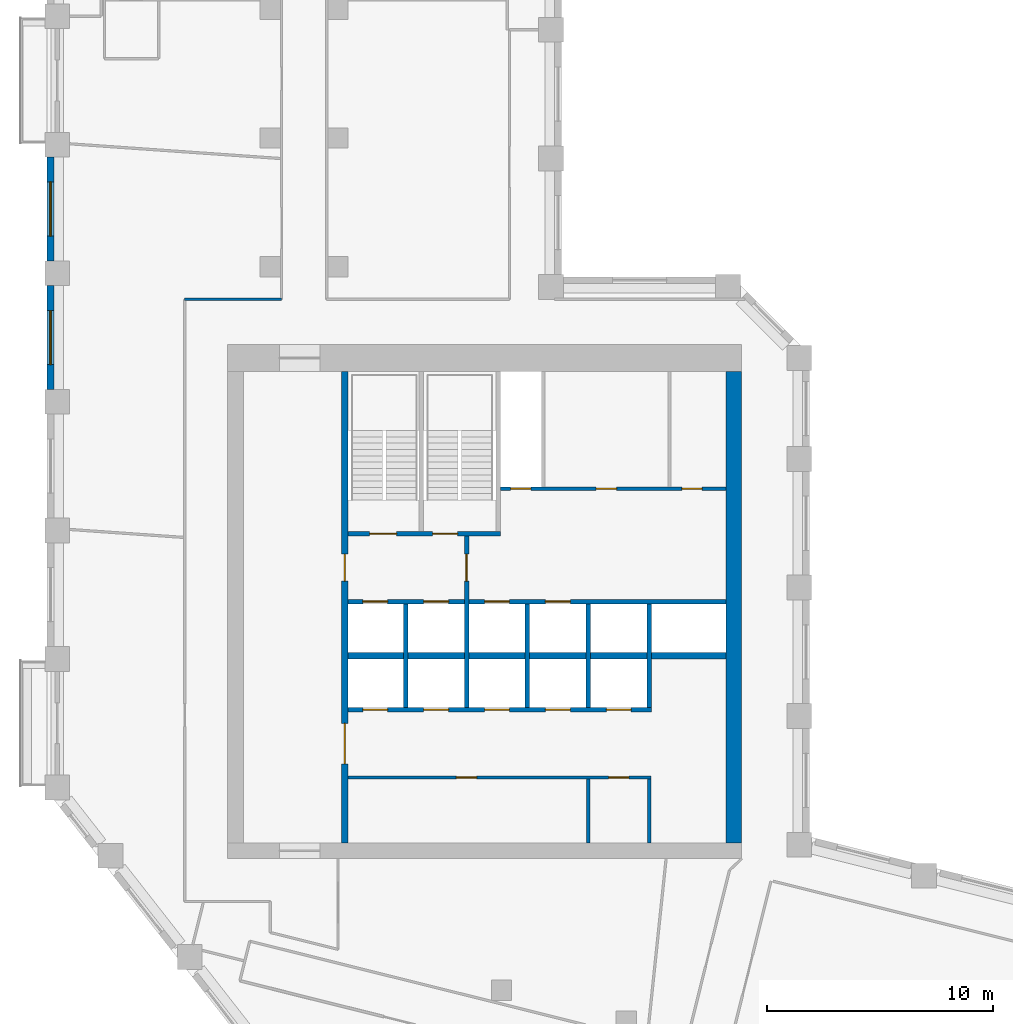
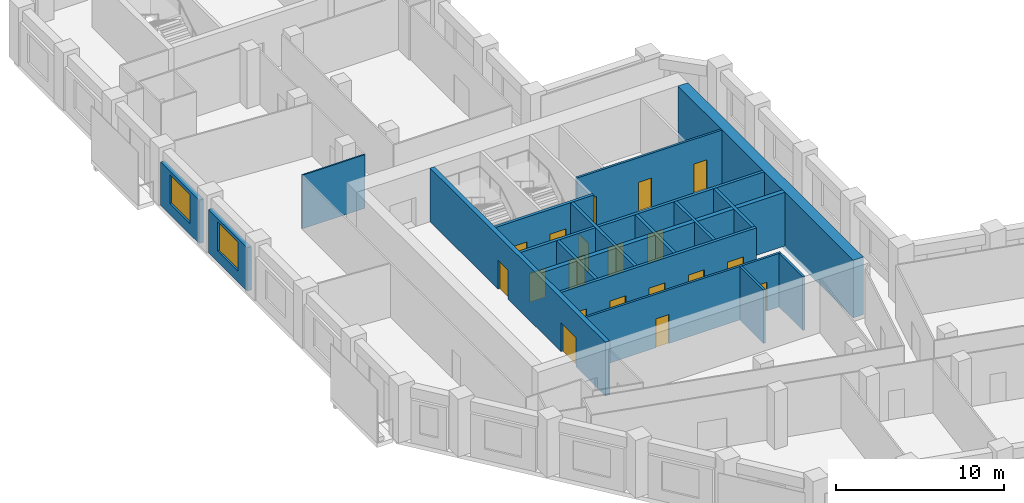
# One storey, part 5 of 10: 19 doors, 18 walls, 2 windows, 21 openings.
"""IFC4 building model written with IfcOpenShell, lengths in metres."""

from ifc_helpers import new_model, si_unit, direction, frame, frame_2d, origin, place, context, subcontext, project, spatial, rectangle, extrude, material, layer, layer_set, type_object, element, fill, save


model = new_model("IFC4")

# Units and contexts
model_context = context("Model", 3, precision=1e-05, world=origin(), true_north=direction((0.0, 1.0)))
body_context = subcontext(model_context, "Body", "Model", "MODEL_VIEW")
ifc_project = project(units=[si_unit("LENGTHUNIT", "METRE"), si_unit("AREAUNIT", "SQUARE_METRE"), si_unit("VOLUMEUNIT", "CUBIC_METRE"), si_unit("PLANEANGLEUNIT", "RADIAN"), si_unit("MASSUNIT", "GRAM", prefix="KILO")], contexts=[model_context])

# Site, building, storey
site_placement = place(None, origin())
site = spatial("IfcSite", under=ifc_project, at=site_placement, CompositionType="ELEMENT")
building_placement = place(site_placement, origin())
building = spatial("IfcBuilding", under=site, at=building_placement, Name="Meshkara Civic Tower", CompositionType="ELEMENT")
storey_placement = place(building_placement, frame((0.0, 0.0, 229.800048828125)))
storey = spatial("IfcBuildingStorey", under=building, at=storey_placement, Name="L52", CompositionType="ELEMENT", Elevation=229.800048828125)

# Wall, openings, doors
ifc_material_1 = material(Name="Blockwork", Category="masonry")
ifc_layer_1 = layer(ifc_material_1, 0.14990234375)
ifc_layer_set_1 = layer_set([ifc_layer_1], Name="Core partition 150")
wall_type_1 = type_object("IfcWallType", Name="Core partition 150", PredefinedType="PARTITIONING", material=ifc_layer_set_1)
wall_1_placement = place(storey_placement, frame((13.35009765625, 17.699951171875, 0.0), z_axis=(0.0, 0.0, 1.0), x_axis=(1.0, 0.0, 0.0)))
wall_1 = element("IfcWall", 1, at=wall_1_placement, inside=storey, type_object=wall_type_1, Name="L52-C005", PredefinedType="PARTITIONING", context=body_context, shape_type="SweptSolid", body=[
    extrude(rectangle(XDim=13.4248046875, YDim=0.14990234375, at=frame_2d((6.71240234375, 0.0))), origin(), (0.0, 0.0, 1.0), 3.89990234375),
])
opening_1_placement = place(wall_1_placement, frame((4.800048828125, 0.0, 0.0)))
opening_1 = element("IfcOpeningElement", 2, at=opening_1_placement, cuts=wall_1, Name="Opening L52-K010", PredefinedType="OPENING", context=body_context, shape_type="SweptSolid", body=[
    extrude(rectangle(XDim=0.89990234375, YDim=2.10009765625, at=frame_2d((0.449951171875, 1.050048828125))), frame((0.0, 0.0849609375, 0.0), z_axis=(0.0, -1.0, 0.0), x_axis=(1.0, 0.0, 0.0)), (0.0, 0.0, 1.0), 0.169921875),
])
opening_2_placement = place(wall_1_placement, frame((11.550048828125, 0.0, 0.0)))
opening_2 = element("IfcOpeningElement", 3, at=opening_2_placement, cuts=wall_1, Name="Opening L52-K011", PredefinedType="OPENING", context=body_context, shape_type="SweptSolid", body=[
    extrude(rectangle(XDim=0.89990234375, YDim=2.10009765625, at=frame_2d((0.449951171875, 1.050048828125))), frame((0.0, 0.0849609375, 0.0), z_axis=(0.0, -1.0, 0.0), x_axis=(1.0, 0.0, 0.0)), (0.0, 0.0, 1.0), 0.169921875),
])
ifc_material_2 = material(Name="Timber door leaf in steel frame", Category="steel")
door_type_1 = type_object("IfcDoorType", Name="Core room door 900", OperationType="SINGLE_SWING_LEFT", PredefinedType="DOOR", material=ifc_material_2)
door_1_placement = place(opening_1_placement, origin())
door_1 = element("IfcDoor", 4, at=door_1_placement, inside=storey, type_object=door_type_1, Name="L52-K010", OperationType="SINGLE_SWING_LEFT", OverallHeight=2.10009765625, OverallWidth=0.89990234375, PredefinedType="DOOR", context=body_context, shape_type="SweptSolid", body=[
    extrude(rectangle(XDim=0.89990234375, YDim=2.10009765625, at=frame_2d((0.449951171875, 1.050048828125))), frame((0.0, 0.02490234375, 0.0), z_axis=(0.0, -1.0, 0.0), x_axis=(1.0, 0.0, 0.0)), (0.0, 0.0, 1.0), 0.050048828125),
])
fill(opening_1, door_1)
door_2_placement = place(opening_2_placement, origin())
door_2 = element("IfcDoor", 5, at=door_2_placement, inside=storey, type_object=door_type_1, Name="L52-K011", OperationType="SINGLE_SWING_LEFT", OverallHeight=2.10009765625, OverallWidth=0.89990234375, PredefinedType="DOOR", context=body_context, shape_type="SweptSolid", body=[
    extrude(rectangle(XDim=0.89990234375, YDim=2.10009765625, at=frame_2d((0.449951171875, 1.050048828125))), frame((0.0, 0.02490234375, 0.0), z_axis=(0.0, -1.0, 0.0), x_axis=(1.0, 0.0, 0.0)), (0.0, 0.0, 1.0), 0.050048828125),
])
fill(opening_2, door_2)

wall_2_placement = place(storey_placement, frame((20.10009765625, 30.5, 0.0), z_axis=(0.0, 0.0, 1.0), x_axis=(1.0, 0.0, 0.0)))
wall_2 = element("IfcWall", 6, at=wall_2_placement, inside=storey, type_object=wall_type_1, Name="L52-C010", PredefinedType="PARTITIONING", context=body_context, shape_type="SweptSolid", body=[
    extrude(rectangle(XDim=10.0, YDim=0.14990234375, at=frame_2d((5.0, 0.0))), origin(), (0.0, 0.0, 1.0), 3.89990234375),
])
opening_3_placement = place(wall_2_placement, frame((0.449951171875, 0.0, 0.0)))
opening_3 = element("IfcOpeningElement", 7, at=opening_3_placement, cuts=wall_2, Name="Opening L52-K012", PredefinedType="OPENING", context=body_context, shape_type="SweptSolid", body=[
    extrude(rectangle(XDim=0.89990234375, YDim=2.10009765625, at=frame_2d((0.449951171875, 1.050048828125))), frame((0.0, 0.0849609375, 0.0), z_axis=(0.0, -1.0, 0.0), x_axis=(1.0, 0.0, 0.0)), (0.0, 0.0, 1.0), 0.169921875),
])
opening_4_placement = place(wall_2_placement, frame((4.25, 0.0, 0.0)))
opening_4 = element("IfcOpeningElement", 8, at=opening_4_placement, cuts=wall_2, Name="Opening L52-K013", PredefinedType="OPENING", context=body_context, shape_type="SweptSolid", body=[
    extrude(rectangle(XDim=0.89990234375, YDim=2.10009765625, at=frame_2d((0.449951171875, 1.050048828125))), frame((0.0, 0.0849609375, 0.0), z_axis=(0.0, -1.0, 0.0), x_axis=(1.0, 0.0, 0.0)), (0.0, 0.0, 1.0), 0.169921875),
])
opening_5_placement = place(wall_2_placement, frame((8.050048828125, 0.0, 0.0)))
opening_5 = element("IfcOpeningElement", 9, at=opening_5_placement, cuts=wall_2, Name="Opening L52-K014", PredefinedType="OPENING", context=body_context, shape_type="SweptSolid", body=[
    extrude(rectangle(XDim=0.89990234375, YDim=2.10009765625, at=frame_2d((0.449951171875, 1.050048828125))), frame((0.0, 0.0849609375, 0.0), z_axis=(0.0, -1.0, 0.0), x_axis=(1.0, 0.0, 0.0)), (0.0, 0.0, 1.0), 0.169921875),
])
door_3_placement = place(opening_4_placement, origin())
door_3 = element("IfcDoor", 10, at=door_3_placement, inside=storey, type_object=door_type_1, Name="L52-K013", OperationType="SINGLE_SWING_RIGHT", OverallHeight=2.10009765625, OverallWidth=0.89990234375, PredefinedType="DOOR", context=body_context, shape_type="SweptSolid", body=[
    extrude(rectangle(XDim=0.89990234375, YDim=2.10009765625, at=frame_2d((0.449951171875, 1.050048828125))), frame((0.0, 0.02490234375, 0.0), z_axis=(0.0, -1.0, 0.0), x_axis=(1.0, 0.0, 0.0)), (0.0, 0.0, 1.0), 0.050048828125),
])
fill(opening_4, door_3)
door_4_placement = place(opening_5_placement, origin())
door_4 = element("IfcDoor", 11, at=door_4_placement, inside=storey, type_object=door_type_1, Name="L52-K014", OperationType="SINGLE_SWING_RIGHT", OverallHeight=2.10009765625, OverallWidth=0.89990234375, PredefinedType="DOOR", context=body_context, shape_type="SweptSolid", body=[
    extrude(rectangle(XDim=0.89990234375, YDim=2.10009765625, at=frame_2d((0.449951171875, 1.050048828125))), frame((0.0, 0.02490234375, 0.0), z_axis=(0.0, -1.0, 0.0), x_axis=(1.0, 0.0, 0.0)), (0.0, 0.0, 1.0), 0.050048828125),
])
fill(opening_5, door_4)
ifc_material_3 = material(Name="Fire-rated door leaf in steel frame", Category="steel")
door_type_2 = type_object("IfcDoorType", Name="Riser door 900", OperationType="SINGLE_SWING_LEFT", PredefinedType="DOOR", material=ifc_material_3)
door_5_placement = place(opening_3_placement, origin())
door_5 = element("IfcDoor", 12, at=door_5_placement, inside=storey, type_object=door_type_2, Name="L52-K012", OperationType="SINGLE_SWING_RIGHT", OverallHeight=2.10009765625, OverallWidth=0.89990234375, PredefinedType="DOOR", context=body_context, shape_type="SweptSolid", body=[
    extrude(rectangle(XDim=0.89990234375, YDim=2.10009765625, at=frame_2d((0.449951171875, 1.050048828125))), frame((0.0, 0.02490234375, 0.0), z_axis=(0.0, -1.0, 0.0), x_axis=(1.0, 0.0, 0.0)), (0.0, 0.0, 1.0), 0.050048828125),
])
fill(opening_3, door_5)

# Walls
for number, where, z_axis, x_axis, name in (
    (13, (24.0, 14.800048828125, 0.0), (0.0, 0.0, 1.0), (0.0, 1.0, 0.0), "L52-C018"),
    (14, (26.699951171875, 14.800048828125, 0.0), (0.0, 0.0, 1.0), (0.0, 1.0, 0.0), "L52-C020"),
):
    element("IfcWall", number, at=place(storey_placement, frame(where, z_axis=z_axis, x_axis=x_axis)), inside=storey, type_object=wall_type_1, Name=name, PredefinedType="PARTITIONING", context=body_context, shape_type="SweptSolid", body=[
        extrude(rectangle(XDim=2.824951171875, YDim=0.14990234375, at=frame_2d((1.41259765625, 0.0))), origin(), (0.0, 0.0, 1.0), 3.89990234375),
    ])
ifc_material_4 = material(Name="Concrete C60", Category="concrete")
ifc_layer_2 = layer(ifc_material_4, 0.699951171875)
ifc_layer_set_2 = layer_set([ifc_layer_2], Name="Core ring wall 700 C60")
wall_type_2 = type_object("IfcWallType", Name="Core ring wall 700 C60", PredefinedType="SHEAR", material=ifc_layer_set_2)
wall_3_placement = place(storey_placement, frame((30.449951171875, 14.800048828125, -0.300048828125), z_axis=(0.0, 0.0, 1.0), x_axis=(0.0, 1.0, 0.0)))
element("IfcWall", 15, at=wall_3_placement, inside=storey, type_object=wall_type_2, Name="L52-C004", PredefinedType="SHEAR", context=body_context, shape_type="SweptSolid", body=[
    extrude(rectangle(XDim=20.89990234375, YDim=0.699951171875, at=frame_2d((10.449951171875, 0.0))), origin(), (0.0, 0.0, 1.0), 4.199951171875),
])
ifc_material_5 = material(Name="Concrete C60", Category="concrete")
ifc_layer_3 = layer(ifc_material_5, 0.300048828125)
ifc_layer_set_3 = layer_set([ifc_layer_3], Name="Core shear wall 300 C60")
wall_type_3 = type_object("IfcWallType", Name="Core shear wall 300 C60", PredefinedType="SHEAR", material=ifc_layer_set_3)
wall_4_placement = place(storey_placement, frame((13.35009765625, 23.10009765625, 0.0), z_axis=(0.0, 0.0, 1.0), x_axis=(1.0, 0.0, 0.0)))
element("IfcWall", 16, at=wall_4_placement, inside=storey, type_object=wall_type_3, Name="L52-C007", PredefinedType="SHEAR", context=body_context, shape_type="SweptSolid", body=[
    extrude(rectangle(XDim=16.75, YDim=0.300048828125, at=frame_2d((8.375, 0.0))), origin(), (0.0, 0.0, 1.0), 3.89990234375),
])

# Wall, openings, doors
wall_5_placement = place(storey_placement, frame((13.199951171875, 14.800048828125, 0.0), z_axis=(0.0, 0.0, 1.0), x_axis=(0.0, 1.0, 0.0)))
wall_5 = element("IfcWall", 17, at=wall_5_placement, inside=storey, type_object=wall_type_3, Name="L52-C011", PredefinedType="SHEAR", context=body_context, shape_type="SweptSolid", body=[
    extrude(rectangle(XDim=20.89990234375, YDim=0.300048828125, at=frame_2d((10.449951171875, 0.0))), origin(), (0.0, 0.0, 1.0), 3.89990234375),
])
opening_6_placement = place(wall_5_placement, frame((3.5, 0.0, 0.0)))
opening_6 = element("IfcOpeningElement", 18, at=opening_6_placement, cuts=wall_5, Name="Opening L52-K017", PredefinedType="OPENING", context=body_context, shape_type="SweptSolid", body=[
    extrude(rectangle(XDim=1.800048828125, YDim=2.10009765625, at=frame_2d((0.89990234375, 1.050048828125))), frame((0.0, 0.159912109375, 0.0), z_axis=(0.0, -1.0, 0.0), x_axis=(1.0, 0.0, 0.0)), (0.0, 0.0, 1.0), 0.320068359375),
])
opening_7_placement = place(wall_5_placement, frame((11.60009765625, 0.0, 0.0)))
opening_7 = element("IfcOpeningElement", 19, at=opening_7_placement, cuts=wall_5, Name="Opening L52-K018", PredefinedType="OPENING", context=body_context, shape_type="SweptSolid", body=[
    extrude(rectangle(XDim=1.199951171875, YDim=2.10009765625, at=frame_2d((0.60009765625, 1.050048828125))), frame((0.0, 0.159912109375, 0.0), z_axis=(0.0, -1.0, 0.0), x_axis=(1.0, 0.0, 0.0)), (0.0, 0.0, 1.0), 0.320068359375),
])
ifc_material_6 = material(Name="Fire-rated door leaf in steel frame", Category="steel")
door_type_3 = type_object("IfcDoorType", Name="Core double door 1800 EI 60", OperationType="DOUBLE_DOOR_SINGLE_SWING", PredefinedType="DOOR", material=ifc_material_6)
door_6_placement = place(opening_6_placement, origin())
door_6 = element("IfcDoor", 20, at=door_6_placement, inside=storey, type_object=door_type_3, Name="L52-K017", OperationType="DOUBLE_DOOR_SINGLE_SWING", OverallHeight=2.10009765625, OverallWidth=1.800048828125, PredefinedType="DOOR", context=body_context, shape_type="SweptSolid", body=[
    extrude(rectangle(XDim=1.800048828125, YDim=2.10009765625, at=frame_2d((0.89990234375, 1.050048828125))), frame((0.0, 0.02490234375, 0.0), z_axis=(0.0, -1.0, 0.0), x_axis=(1.0, 0.0, 0.0)), (0.0, 0.0, 1.0), 0.050048828125),
])
fill(opening_6, door_6)
ifc_material_7 = material(Name="Fire-rated door leaf in steel frame", Category="steel")
door_type_4 = type_object("IfcDoorType", Name="Fire-fighting lobby door 1200 EI 120", OperationType="SINGLE_SWING_LEFT", PredefinedType="DOOR", material=ifc_material_7)
door_7_placement = place(opening_7_placement, origin())
door_7 = element("IfcDoor", 21, at=door_7_placement, inside=storey, type_object=door_type_4, Name="L52-K018", OperationType="SINGLE_SWING_LEFT", OverallHeight=2.10009765625, OverallWidth=1.199951171875, PredefinedType="DOOR", context=body_context, shape_type="SweptSolid", body=[
    extrude(rectangle(XDim=1.199951171875, YDim=2.10009765625, at=frame_2d((0.60009765625, 1.050048828125))), frame((0.0, 0.02490234375, 0.0), z_axis=(0.0, -1.0, 0.0), x_axis=(1.0, 0.0, 0.0)), (0.0, 0.0, 1.0), 0.050048828125),
])
fill(opening_7, door_7)

# Wall
ifc_material_8 = material(Name="Corridor wall 100")
ifc_layer_4 = layer(ifc_material_8, 0.10009765625)
ifc_layer_set_4 = layer_set([ifc_layer_4], Name="Corridor wall 100")
wall_type_4 = type_object("IfcWallType", Name="Corridor wall 100", PredefinedType="PARTITIONING", material=ifc_layer_set_4)
wall_6_placement = place(storey_placement, frame((10.39990234375, 38.89990234375, 0.0), z_axis=(0.0, 0.0, 1.0), x_axis=(-1.0, 0.0, 0.0)))
element("IfcWall", 22, at=wall_6_placement, inside=storey, type_object=wall_type_4, Name="L52-W011", PredefinedType="PARTITIONING", context=body_context, shape_type="SweptSolid", body=[
    extrude(rectangle(XDim=4.2998046875, YDim=0.10009765625, at=frame_2d((2.14990234375, 0.0))), origin(), (0.0, 0.0, 1.0), 3.89990234375),
])

# Wall, opening, window
ifc_material_9 = material(Name="Insulated infill panel with bronze anodised aluminium cladding", Category="aluminium")
ifc_layer_5 = layer(ifc_material_9, 0.300048828125)
ifc_layer_set_5 = layer_set([ifc_layer_5], Name="EXTERNAL INFILL WALL 300")
wall_type_5 = type_object("IfcWallType", Name="EXTERNAL INFILL WALL 300", PredefinedType="SOLIDWALL", material=ifc_layer_set_5)
wall_7_placement = place(storey_placement, frame((0.14990234375, 45.205078125, 0.0), z_axis=(0.0, 0.0, 1.0), x_axis=(0.0, -1.0, 0.0)))
wall_7 = element("IfcWall", 23, at=wall_7_placement, inside=storey, type_object=wall_type_5, Name="External wall", PredefinedType="SOLIDWALL", context=body_context, shape_type="SweptSolid", body=[
    extrude(rectangle(XDim=4.60009765625, YDim=0.300048828125, at=frame_2d((2.300048828125, 0.0))), origin(), (0.0, 0.0, 1.0), 3.14990234375),
])
opening_8_placement = place(wall_7_placement, frame((1.10009765625, 0.0, 0.800048828125)))
opening_8 = element("IfcOpeningElement", 24, at=opening_8_placement, cuts=wall_7, Name="Opening W7", PredefinedType="OPENING", context=body_context, shape_type="SweptSolid", body=[
    extrude(rectangle(XDim=2.39990234375, YDim=2.10009765625, at=frame_2d((1.199951171875, 1.050048828125))), frame((0.0, 0.159912109375, 0.0), z_axis=(0.0, -1.0, 0.0), x_axis=(1.0, 0.0, 0.0)), (0.0, 0.0, 1.0), 0.320068359375),
])
ifc_material_10 = material(Name="Tinted double glazing", Category="glass")
window_type = type_object("IfcWindowType", Name="WINDOW 2400x2100", PartitioningType="DOUBLE_PANEL_VERTICAL", PredefinedType="WINDOW", material=ifc_material_10)
window_1_placement = place(opening_8_placement, origin())
window_1 = element("IfcWindow", 25, at=window_1_placement, inside=storey, type_object=window_type, Name="Window", OverallHeight=2.10009765625, OverallWidth=2.39990234375, PartitioningType="DOUBLE_PANEL_VERTICAL", PredefinedType="WINDOW", context=body_context, shape_type="SweptSolid", body=[
    extrude(rectangle(XDim=2.39990234375, YDim=2.10009765625, at=frame_2d((1.199951171875, 1.050048828125))), frame((0.0, 0.030029296875, 0.0), z_axis=(0.0, -1.0, 0.0), x_axis=(1.0, 0.0, 0.0)), (0.0, 0.0, 1.0), 0.06005859375),
])
fill(opening_8, window_1)

wall_8_placement = place(storey_placement, frame((0.14990234375, 39.5048828125, 0.0), z_axis=(0.0, 0.0, 1.0), x_axis=(0.0, -1.0, 0.0)))
wall_8 = element("IfcWall", 26, at=wall_8_placement, inside=storey, type_object=wall_type_5, Name="External wall", PredefinedType="SOLIDWALL", context=body_context, shape_type="SweptSolid", body=[
    extrude(rectangle(XDim=4.599853515625, YDim=0.300048828125, at=frame_2d((2.2998046875, 0.0))), origin(), (0.0, 0.0, 1.0), 3.14990234375),
])
opening_9_placement = place(wall_8_placement, frame((1.10009765625, 0.0, 0.800048828125)))
opening_9 = element("IfcOpeningElement", 27, at=opening_9_placement, cuts=wall_8, Name="Opening W7", PredefinedType="OPENING", context=body_context, shape_type="SweptSolid", body=[
    extrude(rectangle(XDim=2.39990234375, YDim=2.10009765625, at=frame_2d((1.199951171875, 1.050048828125))), frame((0.0, 0.159912109375, 0.0), z_axis=(0.0, -1.0, 0.0), x_axis=(1.0, 0.0, 0.0)), (0.0, 0.0, 1.0), 0.320068359375),
])
window_2_placement = place(opening_9_placement, origin())
window_2 = element("IfcWindow", 28, at=window_2_placement, inside=storey, type_object=window_type, Name="Window", OverallHeight=2.10009765625, OverallWidth=2.39990234375, PartitioningType="DOUBLE_PANEL_VERTICAL", PredefinedType="WINDOW", context=body_context, shape_type="SweptSolid", body=[
    extrude(rectangle(XDim=2.39990234375, YDim=2.10009765625, at=frame_2d((1.199951171875, 1.050048828125))), frame((0.0, 0.030029296875, 0.0), z_axis=(0.0, -1.0, 0.0), x_axis=(1.0, 0.0, 0.0)), (0.0, 0.0, 1.0), 0.06005859375),
])
fill(opening_9, window_2)

# Wall, openings, doors
ifc_material_11 = material(Name="Concrete C40/50", Category="concrete")
ifc_layer_6 = layer(ifc_material_11, 0.199951171875)
ifc_layer_set_6 = layer_set([ifc_layer_6], Name="Shaft wall 200 C40/50")
wall_type_6 = type_object("IfcWallType", Name="Shaft wall 200 C40/50", PredefinedType="SOLIDWALL", material=ifc_layer_set_6)
wall_9_placement = place(storey_placement, frame((13.35009765625, 20.699951171875, 0.0), z_axis=(0.0, 0.0, 1.0), x_axis=(1.0, 0.0, 0.0)))
wall_9 = element("IfcWall", 29, at=wall_9_placement, inside=storey, type_object=wall_type_6, Name="L52-C006", PredefinedType="SOLIDWALL", context=body_context, shape_type="SweptSolid", body=[
    extrude(rectangle(XDim=13.449951171875, YDim=0.199951171875, at=frame_2d((6.72509765625, 0.0))), origin(), (0.0, 0.0, 1.0), 3.89990234375),
])
opening_10_placement = place(wall_9_placement, frame((0.64990234375, 0.0, 0.0)))
opening_10 = element("IfcOpeningElement", 30, at=opening_10_placement, cuts=wall_9, Name="Opening L52-K001", PredefinedType="OPENING", context=body_context, shape_type="SweptSolid", body=[
    extrude(rectangle(XDim=1.10009765625, YDim=2.10009765625, at=frame_2d((0.550048828125, 1.050048828125))), frame((0.0, 0.10986328125, 0.0), z_axis=(0.0, -1.0, 0.0), x_axis=(1.0, 0.0, 0.0)), (0.0, 0.0, 1.0), 0.219970703125),
])
opening_11_placement = place(wall_9_placement, frame((3.35009765625, 0.0, 0.0)))
opening_11 = element("IfcOpeningElement", 31, at=opening_11_placement, cuts=wall_9, Name="Opening L52-K002", PredefinedType="OPENING", context=body_context, shape_type="SweptSolid", body=[
    extrude(rectangle(XDim=1.10009765625, YDim=2.10009765625, at=frame_2d((0.550048828125, 1.050048828125))), frame((0.0, 0.10986328125, 0.0), z_axis=(0.0, -1.0, 0.0), x_axis=(1.0, 0.0, 0.0)), (0.0, 0.0, 1.0), 0.219970703125),
])
opening_12_placement = place(wall_9_placement, frame((6.050048828125, 0.0, 0.0)))
opening_12 = element("IfcOpeningElement", 32, at=opening_12_placement, cuts=wall_9, Name="Opening L52-K003", PredefinedType="OPENING", context=body_context, shape_type="SweptSolid", body=[
    extrude(rectangle(XDim=1.10009765625, YDim=2.10009765625, at=frame_2d((0.550048828125, 1.050048828125))), frame((0.0, 0.10986328125, 0.0), z_axis=(0.0, -1.0, 0.0), x_axis=(1.0, 0.0, 0.0)), (0.0, 0.0, 1.0), 0.219970703125),
])
opening_13_placement = place(wall_9_placement, frame((8.75, 0.0, 0.0)))
opening_13 = element("IfcOpeningElement", 33, at=opening_13_placement, cuts=wall_9, Name="Opening L52-K004", PredefinedType="OPENING", context=body_context, shape_type="SweptSolid", body=[
    extrude(rectangle(XDim=1.10009765625, YDim=2.10009765625, at=frame_2d((0.550048828125, 1.050048828125))), frame((0.0, 0.10986328125, 0.0), z_axis=(0.0, -1.0, 0.0), x_axis=(1.0, 0.0, 0.0)), (0.0, 0.0, 1.0), 0.219970703125),
])
opening_14_placement = place(wall_9_placement, frame((11.449951171875, 0.0, 0.0)))
opening_14 = element("IfcOpeningElement", 34, at=opening_14_placement, cuts=wall_9, Name="Opening L52-K005", PredefinedType="OPENING", context=body_context, shape_type="SweptSolid", body=[
    extrude(rectangle(XDim=1.10009765625, YDim=2.10009765625, at=frame_2d((0.550048828125, 1.050048828125))), frame((0.0, 0.10986328125, 0.0), z_axis=(0.0, -1.0, 0.0), x_axis=(1.0, 0.0, 0.0)), (0.0, 0.0, 1.0), 0.219970703125),
])
ifc_material_12 = material(Name="Stainless steel landing door", Category="steel")
door_type_5 = type_object("IfcDoorType", Name="Lift landing door 1100", OperationType="SLIDING_TO_LEFT", PredefinedType="DOOR", material=ifc_material_12)
door_8_placement = place(opening_10_placement, origin())
door_8 = element("IfcDoor", 35, at=door_8_placement, inside=storey, type_object=door_type_5, Name="L52-K001", OperationType="SLIDING_TO_LEFT", OverallHeight=2.10009765625, OverallWidth=1.10009765625, PredefinedType="DOOR", context=body_context, shape_type="SweptSolid", body=[
    extrude(rectangle(XDim=1.10009765625, YDim=2.10009765625, at=frame_2d((0.550048828125, 1.050048828125))), frame((0.0, 0.02490234375, 0.0), z_axis=(0.0, -1.0, 0.0), x_axis=(1.0, 0.0, 0.0)), (0.0, 0.0, 1.0), 0.050048828125),
])
fill(opening_10, door_8)
door_9_placement = place(opening_11_placement, origin())
door_9 = element("IfcDoor", 36, at=door_9_placement, inside=storey, type_object=door_type_5, Name="L52-K002", OperationType="SLIDING_TO_LEFT", OverallHeight=2.10009765625, OverallWidth=1.10009765625, PredefinedType="DOOR", context=body_context, shape_type="SweptSolid", body=[
    extrude(rectangle(XDim=1.10009765625, YDim=2.10009765625, at=frame_2d((0.550048828125, 1.050048828125))), frame((0.0, 0.02490234375, 0.0), z_axis=(0.0, -1.0, 0.0), x_axis=(1.0, 0.0, 0.0)), (0.0, 0.0, 1.0), 0.050048828125),
])
fill(opening_11, door_9)
door_10_placement = place(opening_12_placement, origin())
door_10 = element("IfcDoor", 37, at=door_10_placement, inside=storey, type_object=door_type_5, Name="L52-K003", OperationType="SLIDING_TO_LEFT", OverallHeight=2.10009765625, OverallWidth=1.10009765625, PredefinedType="DOOR", context=body_context, shape_type="SweptSolid", body=[
    extrude(rectangle(XDim=1.10009765625, YDim=2.10009765625, at=frame_2d((0.550048828125, 1.050048828125))), frame((0.0, 0.02490234375, 0.0), z_axis=(0.0, -1.0, 0.0), x_axis=(1.0, 0.0, 0.0)), (0.0, 0.0, 1.0), 0.050048828125),
])
fill(opening_12, door_10)
door_11_placement = place(opening_13_placement, origin())
door_11 = element("IfcDoor", 38, at=door_11_placement, inside=storey, type_object=door_type_5, Name="L52-K004", OperationType="SLIDING_TO_LEFT", OverallHeight=2.10009765625, OverallWidth=1.10009765625, PredefinedType="DOOR", context=body_context, shape_type="SweptSolid", body=[
    extrude(rectangle(XDim=1.10009765625, YDim=2.10009765625, at=frame_2d((0.550048828125, 1.050048828125))), frame((0.0, 0.02490234375, 0.0), z_axis=(0.0, -1.0, 0.0), x_axis=(1.0, 0.0, 0.0)), (0.0, 0.0, 1.0), 0.050048828125),
])
fill(opening_13, door_11)
door_12_placement = place(opening_14_placement, origin())
door_12 = element("IfcDoor", 39, at=door_12_placement, inside=storey, type_object=door_type_5, Name="L52-K005", OperationType="SLIDING_TO_LEFT", OverallHeight=2.10009765625, OverallWidth=1.10009765625, PredefinedType="DOOR", context=body_context, shape_type="SweptSolid", body=[
    extrude(rectangle(XDim=1.10009765625, YDim=2.10009765625, at=frame_2d((0.550048828125, 1.050048828125))), frame((0.0, 0.02490234375, 0.0), z_axis=(0.0, -1.0, 0.0), x_axis=(1.0, 0.0, 0.0)), (0.0, 0.0, 1.0), 0.050048828125),
])
fill(opening_14, door_12)

wall_10_placement = place(storey_placement, frame((13.35009765625, 25.5, 0.0), z_axis=(0.0, 0.0, 1.0), x_axis=(1.0, 0.0, 0.0)))
wall_10 = element("IfcWall", 40, at=wall_10_placement, inside=storey, type_object=wall_type_6, Name="L52-C008", PredefinedType="SOLIDWALL", context=body_context, shape_type="SweptSolid", body=[
    extrude(rectangle(XDim=16.75, YDim=0.199951171875, at=frame_2d((8.375, 0.0))), origin(), (0.0, 0.0, 1.0), 3.89990234375),
])
opening_15_placement = place(wall_10_placement, frame((0.64990234375, 0.0, 0.0)))
opening_15 = element("IfcOpeningElement", 41, at=opening_15_placement, cuts=wall_10, Name="Opening L52-K006", PredefinedType="OPENING", context=body_context, shape_type="SweptSolid", body=[
    extrude(rectangle(XDim=1.10009765625, YDim=2.10009765625, at=frame_2d((0.550048828125, 1.050048828125))), frame((0.0, 0.10986328125, 0.0), z_axis=(0.0, -1.0, 0.0), x_axis=(1.0, 0.0, 0.0)), (0.0, 0.0, 1.0), 0.219970703125),
])
opening_16_placement = place(wall_10_placement, frame((3.35009765625, 0.0, 0.0)))
opening_16 = element("IfcOpeningElement", 42, at=opening_16_placement, cuts=wall_10, Name="Opening L52-K007", PredefinedType="OPENING", context=body_context, shape_type="SweptSolid", body=[
    extrude(rectangle(XDim=1.10009765625, YDim=2.10009765625, at=frame_2d((0.550048828125, 1.050048828125))), frame((0.0, 0.10986328125, 0.0), z_axis=(0.0, -1.0, 0.0), x_axis=(1.0, 0.0, 0.0)), (0.0, 0.0, 1.0), 0.219970703125),
])
opening_17_placement = place(wall_10_placement, frame((6.050048828125, 0.0, 0.0)))
opening_17 = element("IfcOpeningElement", 43, at=opening_17_placement, cuts=wall_10, Name="Opening L52-K008", PredefinedType="OPENING", context=body_context, shape_type="SweptSolid", body=[
    extrude(rectangle(XDim=1.10009765625, YDim=2.10009765625, at=frame_2d((0.550048828125, 1.050048828125))), frame((0.0, 0.10986328125, 0.0), z_axis=(0.0, -1.0, 0.0), x_axis=(1.0, 0.0, 0.0)), (0.0, 0.0, 1.0), 0.219970703125),
])
opening_18_placement = place(wall_10_placement, frame((8.75, 0.0, 0.0)))
opening_18 = element("IfcOpeningElement", 44, at=opening_18_placement, cuts=wall_10, Name="Opening L52-K009", PredefinedType="OPENING", context=body_context, shape_type="SweptSolid", body=[
    extrude(rectangle(XDim=1.10009765625, YDim=2.10009765625, at=frame_2d((0.550048828125, 1.050048828125))), frame((0.0, 0.10986328125, 0.0), z_axis=(0.0, -1.0, 0.0), x_axis=(1.0, 0.0, 0.0)), (0.0, 0.0, 1.0), 0.219970703125),
])
door_13_placement = place(opening_15_placement, origin())
door_13 = element("IfcDoor", 45, at=door_13_placement, inside=storey, type_object=door_type_5, Name="L52-K006", OperationType="SLIDING_TO_LEFT", OverallHeight=2.10009765625, OverallWidth=1.10009765625, PredefinedType="DOOR", context=body_context, shape_type="SweptSolid", body=[
    extrude(rectangle(XDim=1.10009765625, YDim=2.10009765625, at=frame_2d((0.550048828125, 1.050048828125))), frame((0.0, 0.02490234375, 0.0), z_axis=(0.0, -1.0, 0.0), x_axis=(1.0, 0.0, 0.0)), (0.0, 0.0, 1.0), 0.050048828125),
])
fill(opening_15, door_13)
door_14_placement = place(opening_16_placement, origin())
door_14 = element("IfcDoor", 46, at=door_14_placement, inside=storey, type_object=door_type_5, Name="L52-K007", OperationType="SLIDING_TO_LEFT", OverallHeight=2.10009765625, OverallWidth=1.10009765625, PredefinedType="DOOR", context=body_context, shape_type="SweptSolid", body=[
    extrude(rectangle(XDim=1.10009765625, YDim=2.10009765625, at=frame_2d((0.550048828125, 1.050048828125))), frame((0.0, 0.02490234375, 0.0), z_axis=(0.0, -1.0, 0.0), x_axis=(1.0, 0.0, 0.0)), (0.0, 0.0, 1.0), 0.050048828125),
])
fill(opening_16, door_14)
door_15_placement = place(opening_17_placement, origin())
door_15 = element("IfcDoor", 47, at=door_15_placement, inside=storey, type_object=door_type_5, Name="L52-K008", OperationType="SLIDING_TO_LEFT", OverallHeight=2.10009765625, OverallWidth=1.10009765625, PredefinedType="DOOR", context=body_context, shape_type="SweptSolid", body=[
    extrude(rectangle(XDim=1.10009765625, YDim=2.10009765625, at=frame_2d((0.550048828125, 1.050048828125))), frame((0.0, 0.02490234375, 0.0), z_axis=(0.0, -1.0, 0.0), x_axis=(1.0, 0.0, 0.0)), (0.0, 0.0, 1.0), 0.050048828125),
])
fill(opening_17, door_15)
door_16_placement = place(opening_18_placement, origin())
door_16 = element("IfcDoor", 48, at=door_16_placement, inside=storey, type_object=door_type_5, Name="L52-K009", OperationType="SLIDING_TO_LEFT", OverallHeight=2.10009765625, OverallWidth=1.10009765625, PredefinedType="DOOR", context=body_context, shape_type="SweptSolid", body=[
    extrude(rectangle(XDim=1.10009765625, YDim=2.10009765625, at=frame_2d((0.550048828125, 1.050048828125))), frame((0.0, 0.02490234375, 0.0), z_axis=(0.0, -1.0, 0.0), x_axis=(1.0, 0.0, 0.0)), (0.0, 0.0, 1.0), 0.050048828125),
])
fill(opening_18, door_16)

# Wall
wall_11_placement = place(storey_placement, frame((15.89990234375, 20.800048828125, 0.0), z_axis=(0.0, 0.0, 1.0), x_axis=(0.0, 1.0, 0.0)))
element("IfcWall", 49, at=wall_11_placement, inside=storey, type_object=wall_type_6, Name="L52-C012", PredefinedType="SOLIDWALL", context=body_context, shape_type="SweptSolid", body=[
    extrude(rectangle(XDim=4.599853515625, YDim=0.199951171875, at=frame_2d((2.2998046875, 0.0))), origin(), (0.0, 0.0, 1.0), 3.89990234375),
])

# Wall, opening, door
wall_12_placement = place(storey_placement, frame((18.60009765625, 20.800048828125, 0.0), z_axis=(0.0, 0.0, 1.0), x_axis=(0.0, 1.0, 0.0)))
wall_12 = element("IfcWall", 50, at=wall_12_placement, inside=storey, type_object=wall_type_6, Name="L52-C014", PredefinedType="SOLIDWALL", context=body_context, shape_type="SweptSolid", body=[
    extrude(rectangle(XDim=7.599853515625, YDim=0.199951171875, at=frame_2d((3.7998046875, 0.0))), origin(), (0.0, 0.0, 1.0), 3.89990234375),
])
opening_19_placement = place(wall_12_placement, frame((5.60009765625, 0.0, 0.0)))
opening_19 = element("IfcOpeningElement", 51, at=opening_19_placement, cuts=wall_12, Name="Opening L52-K019", PredefinedType="OPENING", context=body_context, shape_type="SweptSolid", body=[
    extrude(rectangle(XDim=1.199951171875, YDim=2.10009765625, at=frame_2d((0.60009765625, 1.050048828125))), frame((0.0, 0.10986328125, 0.0), z_axis=(0.0, -1.0, 0.0), x_axis=(1.0, 0.0, 0.0)), (0.0, 0.0, 1.0), 0.219970703125),
])
door_17_placement = place(opening_19_placement, origin())
door_17 = element("IfcDoor", 52, at=door_17_placement, inside=storey, type_object=door_type_4, Name="L52-K019", OperationType="SINGLE_SWING_RIGHT", OverallHeight=2.10009765625, OverallWidth=1.199951171875, PredefinedType="DOOR", context=body_context, shape_type="SweptSolid", body=[
    extrude(rectangle(XDim=1.199951171875, YDim=2.10009765625, at=frame_2d((0.60009765625, 1.050048828125))), frame((0.0, 0.02490234375, 0.0), z_axis=(0.0, -1.0, 0.0), x_axis=(1.0, 0.0, 0.0)), (0.0, 0.0, 1.0), 0.050048828125),
])
fill(opening_19, door_17)

# Walls
for number, where, z_axis, x_axis, name in (
    (53, (21.300048828125, 20.800048828125, 0.0), (0.0, 0.0, 1.0), (0.0, 1.0, 0.0), "L52-C016"),
    (54, (24.0, 20.800048828125, 0.0), (0.0, 0.0, 1.0), (0.0, 1.0, 0.0), "L52-C019"),
    (55, (26.699951171875, 20.800048828125, 0.0), (0.0, 0.0, 1.0), (0.0, 1.0, 0.0), "L52-C021"),
):
    element("IfcWall", number, at=place(storey_placement, frame(where, z_axis=z_axis, x_axis=x_axis)), inside=storey, type_object=wall_type_6, Name=name, PredefinedType="SOLIDWALL", context=body_context, shape_type="SweptSolid", body=[
        extrude(rectangle(XDim=4.599853515625, YDim=0.199951171875, at=frame_2d((2.2998046875, 0.0))), origin(), (0.0, 0.0, 1.0), 3.89990234375),
    ])

# Wall, openings, doors
ifc_material_13 = material(Name="Concrete C40/50", Category="concrete")
ifc_layer_7 = layer(ifc_material_13, 0.199951171875)
ifc_layer_set_7 = layer_set([ifc_layer_7], Name="Stair enclosure wall 200 C40/50")
wall_type_7 = type_object("IfcWallType", Name="Stair enclosure wall 200 C40/50", PredefinedType="SOLIDWALL", material=ifc_layer_set_7)
wall_13_placement = place(storey_placement, frame((13.35009765625, 28.5, 0.0), z_axis=(0.0, 0.0, 1.0), x_axis=(1.0, 0.0, 0.0)))
wall_13 = element("IfcWall", 56, at=wall_13_placement, inside=storey, type_object=wall_type_7, Name="L52-C009", PredefinedType="SOLIDWALL", context=body_context, shape_type="SweptSolid", body=[
    extrude(rectangle(XDim=6.75, YDim=0.199951171875, at=frame_2d((3.375, 0.0))), origin(), (0.0, 0.0, 1.0), 3.89990234375),
])
opening_20_placement = place(wall_13_placement, frame((0.949951171875, 0.0, 0.0)))
opening_20 = element("IfcOpeningElement", 57, at=opening_20_placement, cuts=wall_13, Name="Opening L52-K015", PredefinedType="OPENING", context=body_context, shape_type="SweptSolid", body=[
    extrude(rectangle(XDim=1.199951171875, YDim=2.10009765625, at=frame_2d((0.60009765625, 1.050048828125))), frame((0.0, 0.10986328125, 0.0), z_axis=(0.0, -1.0, 0.0), x_axis=(1.0, 0.0, 0.0)), (0.0, 0.0, 1.0), 0.219970703125),
])
opening_21_placement = place(wall_13_placement, frame((3.75, 0.0, 0.0)))
opening_21 = element("IfcOpeningElement", 58, at=opening_21_placement, cuts=wall_13, Name="Opening L52-K016", PredefinedType="OPENING", context=body_context, shape_type="SweptSolid", body=[
    extrude(rectangle(XDim=1.10009765625, YDim=2.10009765625, at=frame_2d((0.550048828125, 1.050048828125))), frame((0.0, 0.10986328125, 0.0), z_axis=(0.0, -1.0, 0.0), x_axis=(1.0, 0.0, 0.0)), (0.0, 0.0, 1.0), 0.219970703125),
])
ifc_material_14 = material(Name="Fire-rated door leaf in steel frame", Category="steel")
door_type_6 = type_object("IfcDoorType", Name="Stair door 1100 EI 120", OperationType="SINGLE_SWING_LEFT", PredefinedType="DOOR", material=ifc_material_14)
door_18_placement = place(opening_21_placement, origin())
door_18 = element("IfcDoor", 59, at=door_18_placement, inside=storey, type_object=door_type_6, Name="L52-K016", OperationType="SINGLE_SWING_LEFT", OverallHeight=2.10009765625, OverallWidth=1.10009765625, PredefinedType="DOOR", context=body_context, shape_type="SweptSolid", body=[
    extrude(rectangle(XDim=1.10009765625, YDim=2.10009765625, at=frame_2d((0.550048828125, 1.050048828125))), frame((0.0, 0.02490234375, 0.0), z_axis=(0.0, -1.0, 0.0), x_axis=(1.0, 0.0, 0.0)), (0.0, 0.0, 1.0), 0.050048828125),
])
fill(opening_21, door_18)
ifc_material_15 = material(Name="Fire-rated door leaf in steel frame", Category="steel")
door_type_7 = type_object("IfcDoorType", Name="Stair door 1200 EI 120", OperationType="SINGLE_SWING_LEFT", PredefinedType="DOOR", material=ifc_material_15)
door_19_placement = place(opening_20_placement, origin())
door_19 = element("IfcDoor", 60, at=door_19_placement, inside=storey, type_object=door_type_7, Name="L52-K015", OperationType="SINGLE_SWING_RIGHT", OverallHeight=2.10009765625, OverallWidth=1.199951171875, PredefinedType="DOOR", context=body_context, shape_type="SweptSolid", body=[
    extrude(rectangle(XDim=1.199951171875, YDim=2.10009765625, at=frame_2d((0.60009765625, 1.050048828125))), frame((0.0, 0.02490234375, 0.0), z_axis=(0.0, -1.0, 0.0), x_axis=(1.0, 0.0, 0.0)), (0.0, 0.0, 1.0), 0.050048828125),
])
fill(opening_20, door_19)

save(model, "model.ifc")
